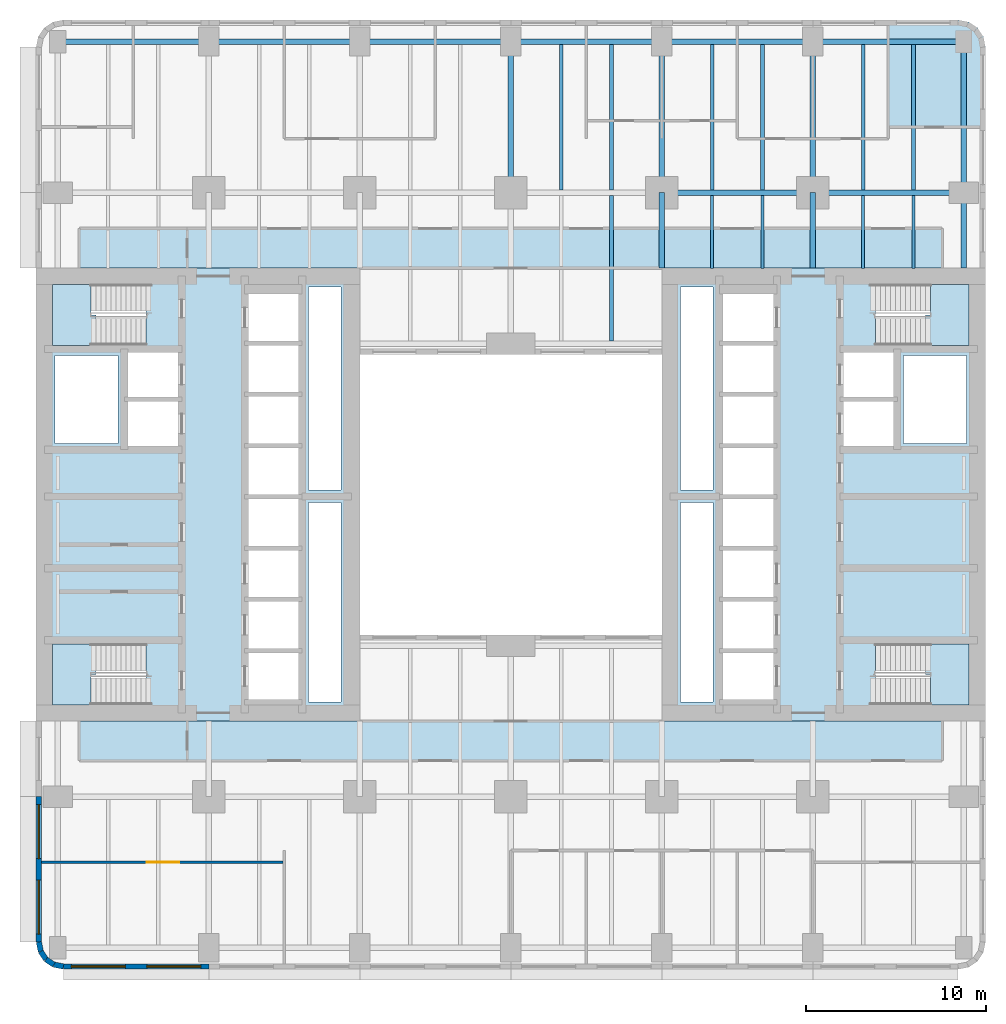
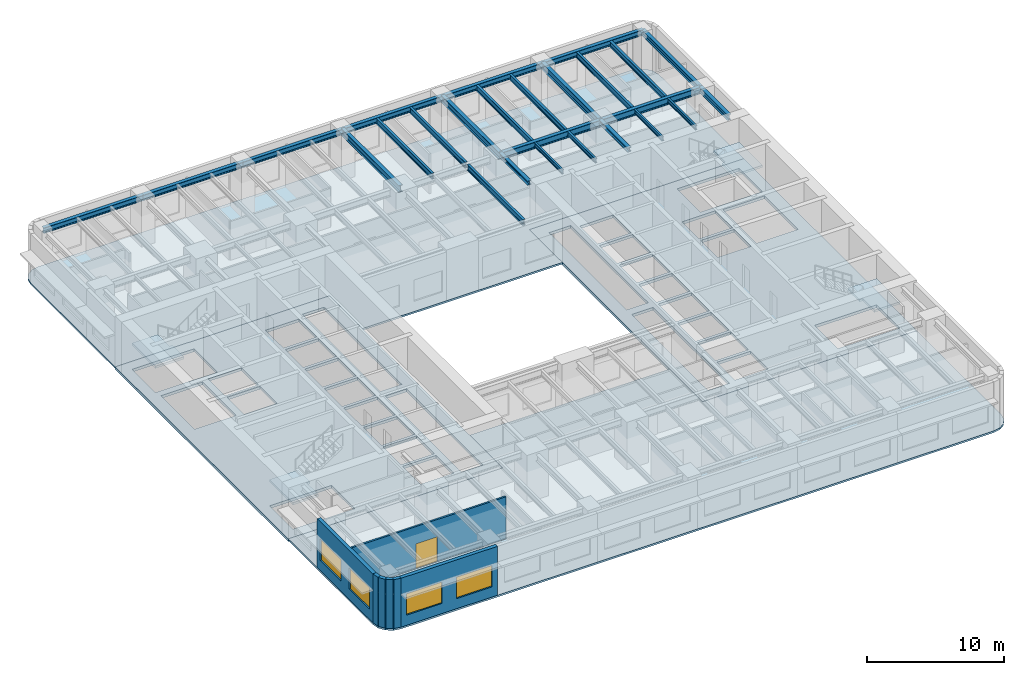
# One storey, part 2 of 14: 26 beams, 8 slabs, 7 walls, 4 windows, 1 door, 5 openings, 4 elements without a shape of their own.
"""IFC4 building model written with IfcOpenShell, lengths in metres."""

from ifc_helpers import new_model, si_unit, direction, frame, frame_2d, origin, origin_2d, place, context, subcontext, project, spatial, polyline, rectangle, i_section, outline, extrude, material, layer, layer_set, material_profile, profile_set, type_object, element, fill, aggregate, save


model = new_model("IFC4")

# Units and contexts
model_context = context("Model", 3, precision=1e-05, world=origin(), true_north=direction((0.0, 1.0)))
body_context = subcontext(model_context, "Body", "Model", "MODEL_VIEW")
ifc_project = project(units=[si_unit("LENGTHUNIT", "METRE"), si_unit("AREAUNIT", "SQUARE_METRE"), si_unit("VOLUMEUNIT", "CUBIC_METRE"), si_unit("PLANEANGLEUNIT", "RADIAN"), si_unit("MASSUNIT", "GRAM", prefix="KILO")], contexts=[model_context])

# Site, building, storey
site_placement = place(None, origin())
site = spatial("IfcSite", under=ifc_project, at=site_placement, CompositionType="ELEMENT")
building_placement = place(site_placement, origin())
building = spatial("IfcBuilding", under=site, at=building_placement, Name="Claustro Exchange Tower", CompositionType="ELEMENT")
storey_placement = place(building_placement, frame((0.0, 0.0, 32.39990234375)))
storey = spatial("IfcBuildingStorey", under=building, at=storey_placement, Name="L07", CompositionType="ELEMENT", Elevation=32.39990234375)

# Beams
ifc_material_1 = material(Name="Steel S355", Category="steel")
ifc_material_profile_1 = material_profile(ifc_material_1, i_section(OverallWidth=0.300048828125, OverallDepth=0.60009765625, WebThickness=0.015380859375, FlangeThickness=0.030029296875, FilletRadius=0.027099609375, at=origin_2d()), Name="HE 600 B")
ifc_profile_set_1 = profile_set([ifc_material_profile_1], Name="Steel S355")
beam_type_1 = type_object("IfcBeamType", Name="B1 HE 600 B floor girder", PredefinedType="BEAM", material=ifc_profile_set_1)
for number, where, z_axis, x_axis, name in (
    (1, (25.199951171875, 42.0, 4.0400390625), (0.0, 1.0, 0.0), (-1.0, 0.0, 0.0), "Beam B1 L08"),
    (2, (33.60009765625, 42.0, 4.0400390625), (0.0, 1.0, 0.0), (-1.0, 0.0, 0.0), "Beam B1 L08"),
    (3, (42.0, 42.0, 4.0400390625), (0.0, 1.0, 0.0), (-1.0, 0.0, 0.0), "Beam B1 L08"),
    (4, (33.60009765625, 42.0, 4.0400390625), (1.0, 0.0, 0.0), (0.0, 1.0, 0.0), "Beam B1 L08"),
    (5, (42.0, 42.0, 4.0400390625), (1.0, 0.0, 0.0), (0.0, 1.0, 0.0), "Beam B1 L08"),
):
    element("IfcBeam", number, at=place(storey_placement, frame(where, z_axis=z_axis, x_axis=x_axis)), inside=storey, type_object=beam_type_1, Name=name, PredefinedType="BEAM", context=body_context, shape_type="SweptSolid", body=[
        extrude(i_section(OverallWidth=0.300048828125, OverallDepth=0.60009765625, WebThickness=0.015380859375, FlangeThickness=0.030029296875, FilletRadius=0.027099609375, at=origin_2d()), origin(), (0.0, 0.0, 1.0), 8.39990234375),
    ])
ifc_material_2 = material(Name="Steel S355", Category="steel")
ifc_material_profile_2 = material_profile(ifc_material_2, i_section(OverallWidth=0.169921875, OverallDepth=0.360107421875, WebThickness=0.008056640625, FlangeThickness=0.0126953125, FilletRadius=0.01806640625, at=origin_2d()), Name="IPE 360")
ifc_profile_set_2 = profile_set([ifc_material_profile_2], Name="Steel S355")
beam_type_2 = type_object("IfcBeamType", Name="B16 IPE 360 short-span beam", PredefinedType="BEAM", material=ifc_profile_set_2)
for number, where, z_axis, x_axis, name in (
    (6, (36.39990234375, 37.7900390625, 4.16015625), (0.0, 1.0, 0.0), (-1.0, 0.0, 0.0), "Beam B16 L08"),
    (7, (39.199951171875, 37.7900390625, 4.16015625), (0.0, 1.0, 0.0), (-1.0, 0.0, 0.0), "Beam B16 L08"),
    (8, (44.800048828125, 37.7900390625, 4.16015625), (0.0, 1.0, 0.0), (-1.0, 0.0, 0.0), "Beam B16 L08"),
    (9, (47.60009765625, 37.7900390625, 4.16015625), (0.0, 1.0, 0.0), (-1.0, 0.0, 0.0), "Beam B16 L08"),
):
    element("IfcBeam", number, at=place(storey_placement, frame(where, z_axis=z_axis, x_axis=x_axis)), inside=storey, type_object=beam_type_2, Name=name, PredefinedType="BEAM", context=body_context, shape_type="SweptSolid", body=[
        extrude(i_section(OverallWidth=0.169921875, OverallDepth=0.360107421875, WebThickness=0.008056640625, FlangeThickness=0.0126953125, FilletRadius=0.01806640625, at=origin_2d()), origin(), (0.0, 0.0, 1.0), 4.06005859375),
    ])
ifc_material_3 = material(Name="Steel S355", Category="steel")
ifc_material_profile_3 = material_profile(ifc_material_3, i_section(OverallWidth=0.199951171875, OverallDepth=0.5, WebThickness=0.01025390625, FlangeThickness=0.01611328125, FilletRadius=0.02099609375, at=origin_2d()), Name="IPE 500")
ifc_profile_set_3 = profile_set([ifc_material_profile_3], Name="Steel S355")
beam_type_3 = type_object("IfcBeamType", Name="B2 IPE 500 secondary beam", PredefinedType="BEAM", material=ifc_profile_set_3)
for number, where, z_axis, x_axis, name in (
    (10, (30.800048828125, 33.75, 4.090087890625), (0.0, 1.0, 0.0), (-1.0, 0.0, 0.0), "Beam B2 L08"),
    (11, (28.0, 42.14990234375, 4.090087890625), (0.0, 1.0, 0.0), (-1.0, 0.0, 0.0), "Beam B2 L08"),
    (12, (30.800048828125, 42.14990234375, 4.090087890625), (0.0, 1.0, 0.0), (-1.0, 0.0, 0.0), "Beam B2 L08"),
    (13, (36.39990234375, 42.14990234375, 4.090087890625), (0.0, 1.0, 0.0), (-1.0, 0.0, 0.0), "Beam B2 L08"),
    (14, (39.199951171875, 42.14990234375, 4.090087890625), (0.0, 1.0, 0.0), (-1.0, 0.0, 0.0), "Beam B2 L08"),
    (15, (44.800048828125, 42.14990234375, 4.090087890625), (0.0, 1.0, 0.0), (-1.0, 0.0, 0.0), "Beam B2 L08"),
    (16, (47.60009765625, 42.14990234375, 4.090087890625), (0.0, 1.0, 0.0), (-1.0, 0.0, 0.0), "Beam B2 L08"),
):
    element("IfcBeam", number, at=place(storey_placement, frame(where, z_axis=z_axis, x_axis=x_axis)), inside=storey, type_object=beam_type_3, Name=name, PredefinedType="BEAM", context=body_context, shape_type="SweptSolid", body=[
        extrude(i_section(OverallWidth=0.199951171875, OverallDepth=0.5, WebThickness=0.01025390625, FlangeThickness=0.01611328125, FilletRadius=0.02099609375, at=origin_2d()), origin(), (0.0, 0.0, 1.0), 8.10009765625),
    ])
ifc_material_4 = material(Name="Steel S355", Category="steel")
ifc_material_profile_4 = material_profile(ifc_material_4, i_section(OverallWidth=0.300048828125, OverallDepth=0.360107421875, WebThickness=0.012451171875, FlangeThickness=0.0224609375, FilletRadius=0.027099609375, at=origin_2d()), Name="HE 360 B")
ifc_profile_set_4 = profile_set([ifc_material_profile_4], Name="Steel S355")
beam_type_4 = type_object("IfcBeamType", Name="B29 HE 360 B column to core link beam", PredefinedType="BEAM", material=ifc_profile_set_4)
for number, where, z_axis, x_axis, name in (
    (17, (33.60009765625, 37.800048828125, 4.16015625), (0.0, 1.0, 0.0), (-1.0, 0.0, 0.0), "Beam B29 L08"),
    (18, (42.0, 37.800048828125, 4.16015625), (0.0, 1.0, 0.0), (-1.0, 0.0, 0.0), "Beam B29 L08"),
):
    element("IfcBeam", number, at=place(storey_placement, frame(where, z_axis=z_axis, x_axis=x_axis)), inside=storey, type_object=beam_type_4, Name=name, PredefinedType="BEAM", context=body_context, shape_type="SweptSolid", body=[
        extrude(i_section(OverallWidth=0.300048828125, OverallDepth=0.360107421875, WebThickness=0.012451171875, FlangeThickness=0.0224609375, FilletRadius=0.027099609375, at=origin_2d()), origin(), (0.0, 0.0, 1.0), 4.199951171875),
    ])
ifc_material_5 = material(Name="Steel S355", Category="steel")
ifc_material_profile_5 = material_profile(ifc_material_5, i_section(OverallWidth=0.300048828125, OverallDepth=0.5, WebThickness=0.014404296875, FlangeThickness=0.028076171875, FilletRadius=0.027099609375, at=origin_2d()), Name="HE 500 B")
ifc_profile_set_5 = profile_set([ifc_material_profile_5], Name="Steel S355")
beam_type_5 = type_object("IfcBeamType", Name="B3 HE 500 B spandrel edge girder", PredefinedType="SPANDREL", material=ifc_profile_set_5)
beam_1_placement = place(storey_placement, frame((50.39990234375, 37.800048828125, 4.090087890625), z_axis=(0.0, 1.0, 0.0), x_axis=(-1.0, 0.0, 0.0)))
element("IfcBeam", 19, at=beam_1_placement, inside=storey, type_object=beam_type_5, Name="Beam B3 L08", PredefinedType="SPANDREL", context=body_context, shape_type="SweptSolid", body=[
    extrude(i_section(OverallWidth=0.300048828125, OverallDepth=0.5, WebThickness=0.014404296875, FlangeThickness=0.028076171875, FilletRadius=0.027099609375, at=origin_2d()), origin(), (0.0, 0.0, 1.0), 4.199951171875),
])
for number, where, z_axis, x_axis, name in (
    (20, (50.39990234375, 42.0, 4.090087890625), (0.0, 1.0, 0.0), (-1.0, 0.0, 0.0), "Beam B3 L08"),
    (21, (0.0, 50.39990234375, 4.090087890625), (1.0, 0.0, 0.0), (0.0, 1.0, 0.0), "Beam B3 L08"),
):
    element("IfcBeam", number, at=place(storey_placement, frame(where, z_axis=z_axis, x_axis=x_axis)), inside=storey, type_object=beam_type_5, Name=name, PredefinedType="SPANDREL", context=body_context, shape_type="SweptSolid", body=[
        extrude(i_section(OverallWidth=0.300048828125, OverallDepth=0.5, WebThickness=0.014404296875, FlangeThickness=0.028076171875, FilletRadius=0.027099609375, at=origin_2d()), origin(), (0.0, 0.0, 1.0), 8.39990234375),
    ])
beam_2_placement = place(storey_placement, frame((8.39990234375, 50.39990234375, 4.090087890625), z_axis=(1.0, 0.0, 0.0), x_axis=(0.0, 1.0, 0.0)))
element("IfcBeam", 22, at=beam_2_placement, inside=storey, type_object=beam_type_5, Name="Beam B3 L08", PredefinedType="SPANDREL", context=body_context, shape_type="SweptSolid", body=[
    extrude(i_section(OverallWidth=0.300048828125, OverallDepth=0.5, WebThickness=0.014404296875, FlangeThickness=0.028076171875, FilletRadius=0.027099609375, at=origin_2d()), origin(), (0.0, 0.0, 1.0), 8.400146484375),
])
beam_3_placement = place(storey_placement, frame((16.800048828125, 50.39990234375, 4.090087890625), z_axis=(1.0, 0.0, 0.0), x_axis=(0.0, 1.0, 0.0)))
element("IfcBeam", 23, at=beam_3_placement, inside=storey, type_object=beam_type_5, Name="Beam B3 L08", PredefinedType="SPANDREL", context=body_context, shape_type="SweptSolid", body=[
    extrude(i_section(OverallWidth=0.300048828125, OverallDepth=0.5, WebThickness=0.014404296875, FlangeThickness=0.028076171875, FilletRadius=0.027099609375, at=origin_2d()), origin(), (0.0, 0.0, 1.0), 8.39990234375),
])
beam_4_placement = place(storey_placement, frame((25.199951171875, 50.39990234375, 4.090087890625), z_axis=(1.0, 0.0, 0.0), x_axis=(0.0, 1.0, 0.0)))
element("IfcBeam", 24, at=beam_4_placement, inside=storey, type_object=beam_type_5, Name="Beam B3 L08", PredefinedType="SPANDREL", context=body_context, shape_type="SweptSolid", body=[
    extrude(i_section(OverallWidth=0.300048828125, OverallDepth=0.5, WebThickness=0.014404296875, FlangeThickness=0.028076171875, FilletRadius=0.027099609375, at=origin_2d()), origin(), (0.0, 0.0, 1.0), 8.400146484375),
])
for number, where, z_axis, x_axis, name in (
    (25, (33.60009765625, 50.39990234375, 4.090087890625), (1.0, 0.0, 0.0), (0.0, 1.0, 0.0), "Beam B3 L08"),
    (26, (42.0, 50.39990234375, 4.090087890625), (1.0, 0.0, 0.0), (0.0, 1.0, 0.0), "Beam B3 L08"),
):
    element("IfcBeam", number, at=place(storey_placement, frame(where, z_axis=z_axis, x_axis=x_axis)), inside=storey, type_object=beam_type_5, Name=name, PredefinedType="SPANDREL", context=body_context, shape_type="SweptSolid", body=[
        extrude(i_section(OverallWidth=0.300048828125, OverallDepth=0.5, WebThickness=0.014404296875, FlangeThickness=0.028076171875, FilletRadius=0.027099609375, at=origin_2d()), origin(), (0.0, 0.0, 1.0), 8.39990234375),
    ])

# Slabs
ifc_material_6 = material(Name="Concrete HA-50 (C50/60)", Category="concrete")
ifc_layer_1 = layer(ifc_material_6, 0.159912109375)
ifc_layer_set_1 = layer_set([ifc_layer_1], Name="Concrete HA-50 (C50/60)")
slab_type_1 = type_object("IfcSlabType", Name="S1 160 composite floor slab", PredefinedType="FLOOR", material=ifc_layer_set_1)
slab_1_placement = place(storey_placement, frame((0.0, 0.0, -0.159912109375)))
element("IfcSlab", 27, at=slab_1_placement, inside=storey, type_object=slab_type_1, Name="Floor slab S1 S L07", PredefinedType="FLOOR", context=body_context, shape_type="SweptSolid", body=[
    extrude(outline(polyline([(-0.27392578125, -1.085693359375), (0.300048828125, -1.199951171875), (50.10009765625, -1.199951171875), (50.674072265625, -1.085693359375), (51.16064453125, -0.7607421875), (51.48583984375, -0.27392578125), (51.60009765625, 0.300048828125), (51.60009765625, 12.60009765625), (33.60009765625, 12.60009765625), (33.60009765625, 17.39990234375), (16.800048828125, 17.39990234375), (16.800048828125, 12.60009765625), (-1.199951171875, 12.60009765625), (-1.199951171875, 0.300048828125), (-1.085693359375, -0.27392578125), (-0.7607421875, -0.7607421875), (-0.27392578125, -1.085693359375)])), origin(), (0.0, 0.0, 1.0), 0.159912109375),
])
slab_2_placement = place(storey_placement, frame((0.0, 0.0, -0.159912109375)))
element("IfcSlab", 28, at=slab_2_placement, inside=storey, type_object=slab_type_1, Name="Floor slab S1 N L07", PredefinedType="FLOOR", context=body_context, shape_type="SweptSolid", body=[
    extrude(outline(polyline([(16.800048828125, 37.800048828125), (16.800048828125, 33.0), (33.60009765625, 33.0), (33.60009765625, 37.800048828125), (51.60009765625, 37.800048828125), (51.60009765625, 50.10009765625), (51.48583984375, 50.674072265625), (51.16064453125, 51.16064453125), (50.674072265625, 51.48583984375), (50.10009765625, 51.60009765625), (0.300048828125, 51.60009765625), (-0.27392578125, 51.48583984375), (-0.7607421875, 51.16064453125), (-1.085693359375, 50.674072265625), (-1.199951171875, 50.10009765625), (-1.199951171875, 37.800048828125), (16.800048828125, 37.800048828125)])), origin(), (0.0, 0.0, 1.0), 0.159912109375),
])
ifc_material_7 = material(Name="Concrete HA-50 (C50/60)", Category="concrete")
ifc_layer_2 = layer(ifc_material_7, 0.25)
ifc_layer_set_2 = layer_set([ifc_layer_2], Name="Concrete HA-50 (C50/60)")
slab_type_2 = type_object("IfcSlabType", Name="S7 250 core floor slab", PredefinedType="FLOOR", material=ifc_layer_set_2)
slab_3_placement = place(storey_placement, frame((0.0, 0.0, -0.25)))
element("IfcSlab", 29, at=slab_3_placement, inside=storey, type_object=slab_type_2, Name="Core floor slab S7 W core L07", PredefinedType="FLOOR", context=body_context, shape_type="SweptSolid", body=[
    extrude(outline(polyline([(-1.199951171875, 12.60009765625), (16.800048828125, 12.60009765625), (16.800048828125, 37.800048828125), (-1.199951171875, 37.800048828125), (-1.199951171875, 12.60009765625)]), holes=[polyline([(15.75, 24.75), (15.75, 13.64990234375), (13.949951171875, 13.64990234375), (13.949951171875, 24.75), (15.75, 24.75)]), polyline([(15.75, 36.75), (15.75, 25.449951171875), (13.949951171875, 25.449951171875), (13.949951171875, 36.75), (15.75, 36.75)]), polyline([(10.60009765625, 16.39990234375), (13.39990234375, 16.39990234375), (13.39990234375, 13.800048828125), (10.60009765625, 13.800048828125), (10.60009765625, 16.39990234375)]), polyline([(13.39990234375, 19.25), (13.39990234375, 16.64990234375), (10.60009765625, 16.64990234375), (10.60009765625, 19.25), (13.39990234375, 19.25)]), polyline([(13.39990234375, 22.10009765625), (13.39990234375, 19.5), (10.60009765625, 19.5), (10.60009765625, 22.10009765625), (13.39990234375, 22.10009765625)]), polyline([(13.39990234375, 24.949951171875), (13.39990234375, 22.35009765625), (10.60009765625, 22.35009765625), (10.60009765625, 24.949951171875), (13.39990234375, 24.949951171875)]), polyline([(13.39990234375, 27.800048828125), (13.39990234375, 25.199951171875), (10.60009765625, 25.199951171875), (10.60009765625, 27.800048828125), (13.39990234375, 27.800048828125)]), polyline([(13.39990234375, 30.64990234375), (13.39990234375, 28.050048828125), (10.60009765625, 28.050048828125), (10.60009765625, 30.64990234375), (13.39990234375, 30.64990234375)]), polyline([(13.39990234375, 33.5), (13.39990234375, 30.89990234375), (10.60009765625, 30.89990234375), (10.60009765625, 33.5), (13.39990234375, 33.5)]), polyline([(13.39990234375, 36.35009765625), (13.39990234375, 33.75), (10.60009765625, 33.75), (10.60009765625, 36.35009765625), (13.39990234375, 36.35009765625)]), polyline([(6.699951171875, 30.375), (6.699951171875, 27.89990234375), (3.89990234375, 27.89990234375), (3.89990234375, 30.375), (6.699951171875, 30.375)]), polyline([(6.699951171875, 33.10009765625), (6.699951171875, 30.625), (3.89990234375, 30.625), (3.89990234375, 33.10009765625), (6.699951171875, 33.10009765625)]), polyline([(-0.300048828125, 15.199951171875), (-0.300048828125, 16.89990234375), (4.9150390625, 16.89990234375), (4.9150390625, 15.199951171875), (4.919921875, 15.199951171875), (4.919921875, 13.5), (-0.300048828125, 13.5), (-0.300048828125, 15.199951171875)]), polyline([(-0.300048828125, 36.89990234375), (4.919921875, 36.89990234375), (4.919921875, 35.199951171875), (4.9150390625, 35.199951171875), (4.9150390625, 33.5), (-0.300048828125, 33.5), (-0.300048828125, 35.199951171875), (-0.300048828125, 36.89990234375)]), polyline([(3.35009765625, 32.949951171875), (3.35009765625, 28.050048828125), (-0.14990234375, 28.050048828125), (-0.14990234375, 32.949951171875), (3.35009765625, 32.949951171875)])]), origin(), (0.0, 0.0, 1.0), 0.25),
])
slab_4_placement = place(storey_placement, frame((0.0, 0.0, -0.25)))
element("IfcSlab", 30, at=slab_4_placement, inside=storey, type_object=slab_type_2, Name="Core floor slab S7 E core L07", PredefinedType="FLOOR", context=body_context, shape_type="SweptSolid", body=[
    extrude(outline(polyline([(33.60009765625, 12.60009765625), (51.60009765625, 12.60009765625), (51.60009765625, 37.800048828125), (33.60009765625, 37.800048828125), (33.60009765625, 12.60009765625)]), holes=[polyline([(45.47998046875, 35.199951171875), (45.47998046875, 36.89990234375), (50.699951171875, 36.89990234375), (50.699951171875, 35.199951171875), (50.699951171875, 33.5), (45.485107421875, 33.5), (45.485107421875, 35.199951171875), (45.47998046875, 35.199951171875)]), polyline([(45.485107421875, 15.199951171875), (45.485107421875, 16.89990234375), (50.699951171875, 16.89990234375), (50.699951171875, 15.199951171875), (50.699951171875, 13.5), (45.47998046875, 13.5), (45.47998046875, 15.199951171875), (45.485107421875, 15.199951171875)]), polyline([(50.550048828125, 32.949951171875), (50.550048828125, 28.050048828125), (47.050048828125, 28.050048828125), (47.050048828125, 32.949951171875), (50.550048828125, 32.949951171875)]), polyline([(46.5, 30.375), (46.5, 27.89990234375), (43.699951171875, 27.89990234375), (43.699951171875, 30.375), (46.5, 30.375)]), polyline([(46.5, 33.10009765625), (46.5, 30.625), (43.699951171875, 30.625), (43.699951171875, 33.10009765625), (46.5, 33.10009765625)]), polyline([(37.0, 16.39990234375), (39.800048828125, 16.39990234375), (39.800048828125, 13.800048828125), (37.0, 13.800048828125), (37.0, 16.39990234375)]), polyline([(39.800048828125, 19.25), (39.800048828125, 16.64990234375), (37.0, 16.64990234375), (37.0, 19.25), (39.800048828125, 19.25)]), polyline([(39.800048828125, 22.10009765625), (39.800048828125, 19.5), (37.0, 19.5), (37.0, 22.10009765625), (39.800048828125, 22.10009765625)]), polyline([(39.800048828125, 24.949951171875), (39.800048828125, 22.35009765625), (37.0, 22.35009765625), (37.0, 24.949951171875), (39.800048828125, 24.949951171875)]), polyline([(39.800048828125, 27.800048828125), (39.800048828125, 25.199951171875), (37.0, 25.199951171875), (37.0, 27.800048828125), (39.800048828125, 27.800048828125)]), polyline([(39.800048828125, 30.64990234375), (39.800048828125, 28.050048828125), (37.0, 28.050048828125), (37.0, 30.64990234375), (39.800048828125, 30.64990234375)]), polyline([(39.800048828125, 33.5), (39.800048828125, 30.89990234375), (37.0, 30.89990234375), (37.0, 33.5), (39.800048828125, 33.5)]), polyline([(39.800048828125, 36.35009765625), (39.800048828125, 33.75), (37.0, 33.75), (37.0, 36.35009765625), (39.800048828125, 36.35009765625)]), polyline([(36.449951171875, 24.75), (36.449951171875, 13.64990234375), (34.64990234375, 13.64990234375), (34.64990234375, 24.75), (36.449951171875, 24.75)]), polyline([(36.449951171875, 36.75), (36.449951171875, 25.449951171875), (34.64990234375, 25.449951171875), (34.64990234375, 36.75), (36.449951171875, 36.75)])]), origin(), (0.0, 0.0, 1.0), 0.25),
])

# Stair, slab
ifc_material_8 = material(Name="Concrete HA-30 (C30/37), precast", Category="concrete")
stair_type = type_object("IfcStairType", Name="ST2 half-turn stair, 25 risers of 180", PredefinedType="HALF_TURN_STAIR", material=ifc_material_8)
stair_1_placement = place(storey_placement, origin())
stair_1 = element("IfcStair", 31, at=stair_1_placement, inside=storey, type_object=stair_type, Name="Stair STWA L07", PredefinedType="HALF_TURN_STAIR")
ifc_material_9 = material(Name="Concrete HA-30 (C30/37), precast", Category="concrete")
ifc_layer_3 = layer(ifc_material_9, 0.199951171875)
ifc_layer_set_3 = layer_set([ifc_layer_3], Name="Concrete HA-30 (C30/37), precast")
slab_type_3 = type_object("IfcSlabType", Name="S9 200 stair landing", PredefinedType="LANDING", material=ifc_layer_set_3)
slab_5_placement = place(storey_placement, frame((0.0, 0.0, 2.14013671875)))
slab_5 = element("IfcSlab", 32, at=slab_5_placement, type_object=slab_type_3, Name="STWA landing 1", PredefinedType="LANDING", context=body_context, shape_type="SweptSolid", body=[
    extrude(outline(polyline([(1.844970703125, 13.5), (-0.300048828125, 13.5), (-0.300048828125, 16.89990234375), (1.840087890625, 16.89990234375), (1.844970703125, 16.89990234375), (2.1201171875, 16.89990234375), (2.1201171875, 15.199951171875), (1.844970703125, 15.199951171875), (1.844970703125, 13.5)])), origin(), (0.0, 0.0, 1.0), 0.199951171875),
])
aggregate(stair_1, [slab_5])

stair_2_placement = place(storey_placement, origin())
stair_2 = element("IfcStair", 33, at=stair_2_placement, inside=storey, type_object=stair_type, Name="Stair STWB L07", PredefinedType="HALF_TURN_STAIR")
slab_6_placement = place(storey_placement, frame((0.0, 0.0, 2.14013671875)))
slab_6 = element("IfcSlab", 34, at=slab_6_placement, type_object=slab_type_3, Name="STWB landing 1", PredefinedType="LANDING", context=body_context, shape_type="SweptSolid", body=[
    extrude(outline(polyline([(2.1201171875, 35.199951171875), (2.1201171875, 33.5), (1.844970703125, 33.5), (1.840087890625, 33.5), (-0.300048828125, 33.5), (-0.300048828125, 36.89990234375), (1.844970703125, 36.89990234375), (1.844970703125, 35.199951171875), (2.1201171875, 35.199951171875)])), origin(), (0.0, 0.0, 1.0), 0.199951171875),
])
aggregate(stair_2, [slab_6])

stair_3_placement = place(storey_placement, origin())
stair_3 = element("IfcStair", 35, at=stair_3_placement, inside=storey, type_object=stair_type, Name="Stair STEA L07", PredefinedType="HALF_TURN_STAIR")
slab_7_placement = place(storey_placement, frame((0.0, 0.0, 2.14013671875)))
slab_7 = element("IfcSlab", 36, at=slab_7_placement, type_object=slab_type_3, Name="STEA landing 1", PredefinedType="LANDING", context=body_context, shape_type="SweptSolid", body=[
    extrude(outline(polyline([(50.699951171875, 16.89990234375), (50.699951171875, 13.5), (48.554931640625, 13.5), (48.554931640625, 15.199951171875), (48.280029296875, 15.199951171875), (48.280029296875, 16.89990234375), (48.554931640625, 16.89990234375), (48.56005859375, 16.89990234375), (50.699951171875, 16.89990234375)])), origin(), (0.0, 0.0, 1.0), 0.199951171875),
])
aggregate(stair_3, [slab_7])

stair_4_placement = place(storey_placement, origin())
stair_4 = element("IfcStair", 37, at=stair_4_placement, inside=storey, type_object=stair_type, Name="Stair STEB L07", PredefinedType="HALF_TURN_STAIR")
slab_8_placement = place(storey_placement, frame((0.0, 0.0, 2.14013671875)))
slab_8 = element("IfcSlab", 38, at=slab_8_placement, type_object=slab_type_3, Name="STEB landing 1", PredefinedType="LANDING", context=body_context, shape_type="SweptSolid", body=[
    extrude(outline(polyline([(48.280029296875, 33.5), (48.280029296875, 35.199951171875), (48.554931640625, 35.199951171875), (48.554931640625, 36.89990234375), (50.699951171875, 36.89990234375), (50.699951171875, 33.5), (48.56005859375, 33.5), (48.554931640625, 33.5), (48.280029296875, 33.5)])), origin(), (0.0, 0.0, 1.0), 0.199951171875),
])
aggregate(stair_4, [slab_8])

# Wall, opening, door
ifc_material_10 = material(Name="Gypsum board on steel studs", Category="steel")
ifc_layer_4 = layer(ifc_material_10, 0.14990234375)
ifc_layer_set_4 = layer_set([ifc_layer_4], Name="Gypsum board on steel studs")
wall_type_1 = type_object("IfcWallType", Name="P1 150 plasterboard partition", PredefinedType="PARTITIONING", material=ifc_layer_set_4)
wall_1_placement = place(storey_placement, frame((-0.902099609375, 4.75, 0.0), z_axis=(0.0, 0.0, 1.0), x_axis=(1.0, 0.0, 0.0)))
wall_1 = element("IfcWall", 39, at=wall_1_placement, inside=storey, type_object=wall_type_1, Name="Partition P1 L07", PredefinedType="PARTITIONING", context=body_context, shape_type="SweptSolid", body=[
    extrude(rectangle(XDim=13.427978515625, YDim=0.14990234375, at=frame_2d((6.7138671875, 0.0))), origin(), (0.0, 0.0, 1.0), 3.739990234375),
])
opening_1_placement = place(wall_1_placement, frame((5.85205078125, 0.0, 0.0)))
opening_1 = element("IfcOpeningElement", 40, at=opening_1_placement, cuts=wall_1, Name="Opening D2", PredefinedType="OPENING", context=body_context, shape_type="SweptSolid", body=[
    extrude(rectangle(XDim=1.800048828125, YDim=2.199951171875, at=frame_2d((0.89990234375, 1.10009765625))), frame((0.0, 0.0849609375, 0.0), z_axis=(0.0, -1.0, 0.0), x_axis=(1.0, 0.0, 0.0)), (0.0, 0.0, 1.0), 0.169921875),
])
ifc_material_11 = material(Name="Timber door, oak veneer", Category="wood")
door_type = type_object("IfcDoorType", Name="D2 1800 x 2200 double door", OperationType="DOUBLE_DOOR_SINGLE_SWING", PredefinedType="DOOR", material=ifc_material_11)
door_placement = place(opening_1_placement, origin())
door = element("IfcDoor", 41, at=door_placement, inside=storey, type_object=door_type, Name="Double door D2 L07", OperationType="DOUBLE_DOOR_SINGLE_SWING", OverallHeight=2.199951171875, OverallWidth=1.800048828125, PredefinedType="DOOR", context=body_context, shape_type="SweptSolid", body=[
    extrude(rectangle(XDim=1.800048828125, YDim=2.199951171875, at=frame_2d((0.89990234375, 1.10009765625))), frame((0.0, 0.02490234375, 0.0), z_axis=(0.0, -1.0, 0.0), x_axis=(1.0, 0.0, 0.0)), (0.0, 0.0, 1.0), 0.050048828125),
])
fill(opening_1, door)

# Wall, openings, windows
ifc_material_12 = material(Name="Concrete HA-40 (C40/50), precast, white cement, acid-etched", Category="concrete")
ifc_layer_5 = layer(ifc_material_12, 0.300048828125)
ifc_layer_set_5 = layer_set([ifc_layer_5], Name="Concrete HA-40 (C40/50), precast, white cement, acid-etched")
wall_type_2 = type_object("IfcWallType", Name="PC1 300 precast concrete pier panel", PredefinedType="SOLIDWALL", material=ifc_layer_set_5)
wall_2_placement = place(storey_placement, frame((8.39990234375, -1.050048828125, 0.0), z_axis=(0.0, 0.0, 1.0), x_axis=(-1.0, 0.0, 0.0)))
wall_2 = element("IfcWall", 42, at=wall_2_placement, inside=storey, type_object=wall_type_2, Name="Precast pier panel PC1 L07", PredefinedType="SOLIDWALL", context=body_context, shape_type="SweptSolid", body=[
    extrude(rectangle(XDim=8.085205078125, YDim=0.300048828125, at=frame_2d((4.04248046875, 0.0))), origin(), (0.0, 0.0, 1.0), 4.340087890625),
])
opening_2_placement = place(wall_2_placement, frame((0.442626953125, 0.0, 0.89990234375)))
opening_2 = element("IfcOpeningElement", 43, at=opening_2_placement, cuts=wall_2, Name="Opening W1", PredefinedType="OPENING", context=body_context, shape_type="SweptSolid", body=[
    extrude(rectangle(XDim=3.0, YDim=1.89990234375, at=frame_2d((1.5, 0.949951171875))), frame((0.0, 0.159912109375, 0.0), z_axis=(0.0, -1.0, 0.0), x_axis=(1.0, 0.0, 0.0)), (0.0, 0.0, 1.0), 0.320068359375),
])
opening_3_placement = place(wall_2_placement, frame((4.642578125, 0.0, 0.89990234375)))
opening_3 = element("IfcOpeningElement", 44, at=opening_3_placement, cuts=wall_2, Name="Opening W1", PredefinedType="OPENING", context=body_context, shape_type="SweptSolid", body=[
    extrude(rectangle(XDim=3.0, YDim=1.89990234375, at=frame_2d((1.5, 0.949951171875))), frame((0.0, 0.159912109375, 0.0), z_axis=(0.0, -1.0, 0.0), x_axis=(1.0, 0.0, 0.0)), (0.0, 0.0, 1.0), 0.320068359375),
])
ifc_material_13 = material(Name="Aluminium frame, clear double glazing", Category="aluminium")
window_type = type_object("IfcWindowType", Name="W1 3000 x 1900 window", PartitioningType="SINGLE_PANEL", PredefinedType="WINDOW", material=ifc_material_13)
window_1_placement = place(opening_2_placement, origin())
window_1 = element("IfcWindow", 45, at=window_1_placement, inside=storey, type_object=window_type, Name="Window W1 L07", OverallHeight=1.89990234375, OverallWidth=3.0, PartitioningType="SINGLE_PANEL", PredefinedType="WINDOW", context=body_context, shape_type="SweptSolid", body=[
    extrude(rectangle(XDim=3.0, YDim=1.89990234375, at=frame_2d((1.5, 0.949951171875))), frame((0.0, 0.030029296875, 0.0), z_axis=(0.0, -1.0, 0.0), x_axis=(1.0, 0.0, 0.0)), (0.0, 0.0, 1.0), 0.06005859375),
])
fill(opening_2, window_1)
window_2_placement = place(opening_3_placement, origin())
window_2 = element("IfcWindow", 46, at=window_2_placement, inside=storey, type_object=window_type, Name="Window W1 L07", OverallHeight=1.89990234375, OverallWidth=3.0, PartitioningType="SINGLE_PANEL", PredefinedType="WINDOW", context=body_context, shape_type="SweptSolid", body=[
    extrude(rectangle(XDim=3.0, YDim=1.89990234375, at=frame_2d((1.5, 0.949951171875))), frame((0.0, 0.030029296875, 0.0), z_axis=(0.0, -1.0, 0.0), x_axis=(1.0, 0.0, 0.0)), (0.0, 0.0, 1.0), 0.06005859375),
])
fill(opening_3, window_2)

# Walls
wall_3_placement = place(storey_placement, frame((0.314697265625, -1.050048828125, 0.0), z_axis=(0.0, 0.0, 1.0), x_axis=(-0.980788534345, 0.195073962632, 0.0)))
element("IfcWall", 47, at=wall_3_placement, inside=storey, type_object=wall_type_2, Name="Precast pier panel PC1 L07", PredefinedType="SOLIDWALL", context=body_context, shape_type="SweptSolid", body=[
    extrude(rectangle(XDim=0.540771484375, YDim=0.300048828125, at=frame_2d((0.2705078125, 0.0))), origin(), (0.0, 0.0, 1.0), 4.340087890625),
])
for number, where, z_axis, x_axis, name in (
    (48, (-0.215576171875, -0.944580078125, 0.0), (0.0, 0.0, 1.0), (-0.831478144188, 0.555557463938, 0.0), "Precast pier panel PC1 L07"),
    (49, (-0.652587890625, -0.652587890625, 0.0), (0.0, 0.0, 1.0), (-0.555557463938, 0.831478144188, 0.0), "Precast pier panel PC1 L07"),
):
    element("IfcWall", number, at=place(storey_placement, frame(where, z_axis=z_axis, x_axis=x_axis)), inside=storey, type_object=wall_type_2, Name=name, PredefinedType="SOLIDWALL", context=body_context, shape_type="SweptSolid", body=[
        extrude(rectangle(XDim=0.525634765625, YDim=0.300048828125, at=frame_2d((0.2626953125, 0.0))), origin(), (0.0, 0.0, 1.0), 4.340087890625),
    ])
wall_4_placement = place(storey_placement, frame((-0.944580078125, -0.215576171875, 0.0), z_axis=(0.0, 0.0, 1.0), x_axis=(-0.195073962632, 0.980788534345, 0.0)))
element("IfcWall", 50, at=wall_4_placement, inside=storey, type_object=wall_type_2, Name="Precast pier panel PC1 L07", PredefinedType="SOLIDWALL", context=body_context, shape_type="SweptSolid", body=[
    extrude(rectangle(XDim=0.540771484375, YDim=0.300048828125, at=frame_2d((0.2705078125, 0.0))), origin(), (0.0, 0.0, 1.0), 4.340087890625),
])

# Wall, openings, windows
wall_5_placement = place(storey_placement, frame((-1.050048828125, 0.314697265625, 0.0), z_axis=(0.0, 0.0, 1.0), x_axis=(0.0, 1.0, 0.0)))
wall_5 = element("IfcWall", 51, at=wall_5_placement, inside=storey, type_object=wall_type_2, Name="Precast pier panel PC1 L07", PredefinedType="SOLIDWALL", context=body_context, shape_type="SweptSolid", body=[
    extrude(rectangle(XDim=8.085205078125, YDim=0.300048828125, at=frame_2d((4.04248046875, 0.0))), origin(), (0.0, 0.0, 1.0), 4.340087890625),
])
opening_4_placement = place(wall_5_placement, frame((0.442626953125, 0.0, 0.89990234375)))
opening_4 = element("IfcOpeningElement", 52, at=opening_4_placement, cuts=wall_5, Name="Opening W1", PredefinedType="OPENING", context=body_context, shape_type="SweptSolid", body=[
    extrude(rectangle(XDim=3.0, YDim=1.89990234375, at=frame_2d((1.5, 0.949951171875))), frame((0.0, 0.159912109375, 0.0), z_axis=(0.0, -1.0, 0.0), x_axis=(1.0, 0.0, 0.0)), (0.0, 0.0, 1.0), 0.320068359375),
])
opening_5_placement = place(wall_5_placement, frame((4.642578125, 0.0, 0.89990234375)))
opening_5 = element("IfcOpeningElement", 53, at=opening_5_placement, cuts=wall_5, Name="Opening W1", PredefinedType="OPENING", context=body_context, shape_type="SweptSolid", body=[
    extrude(rectangle(XDim=3.0, YDim=1.89990234375, at=frame_2d((1.5, 0.949951171875))), frame((0.0, 0.159912109375, 0.0), z_axis=(0.0, -1.0, 0.0), x_axis=(1.0, 0.0, 0.0)), (0.0, 0.0, 1.0), 0.320068359375),
])
window_3_placement = place(opening_4_placement, origin())
window_3 = element("IfcWindow", 54, at=window_3_placement, inside=storey, type_object=window_type, Name="Window W1 L07", OverallHeight=1.89990234375, OverallWidth=3.0, PartitioningType="SINGLE_PANEL", PredefinedType="WINDOW", context=body_context, shape_type="SweptSolid", body=[
    extrude(rectangle(XDim=3.0, YDim=1.89990234375, at=frame_2d((1.5, 0.949951171875))), frame((0.0, 0.030029296875, 0.0), z_axis=(0.0, -1.0, 0.0), x_axis=(1.0, 0.0, 0.0)), (0.0, 0.0, 1.0), 0.06005859375),
])
fill(opening_4, window_3)
window_4_placement = place(opening_5_placement, origin())
window_4 = element("IfcWindow", 55, at=window_4_placement, inside=storey, type_object=window_type, Name="Window W1 L07", OverallHeight=1.89990234375, OverallWidth=3.0, PartitioningType="SINGLE_PANEL", PredefinedType="WINDOW", context=body_context, shape_type="SweptSolid", body=[
    extrude(rectangle(XDim=3.0, YDim=1.89990234375, at=frame_2d((1.5, 0.949951171875))), frame((0.0, 0.030029296875, 0.0), z_axis=(0.0, -1.0, 0.0), x_axis=(1.0, 0.0, 0.0)), (0.0, 0.0, 1.0), 0.06005859375),
])
fill(opening_5, window_4)

save(model, "model.ifc")
